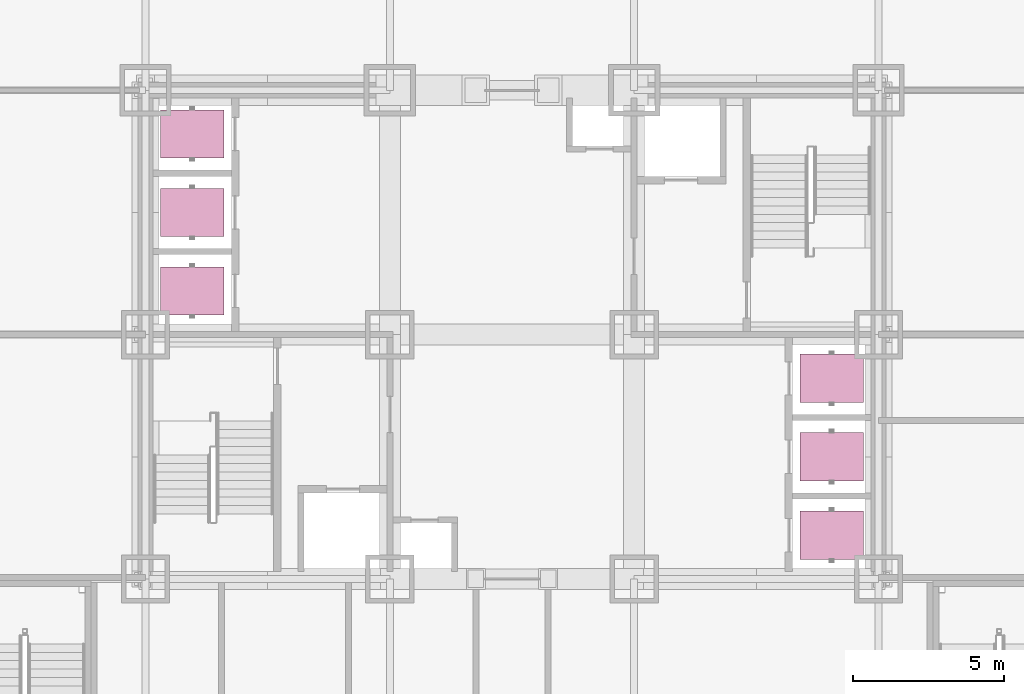
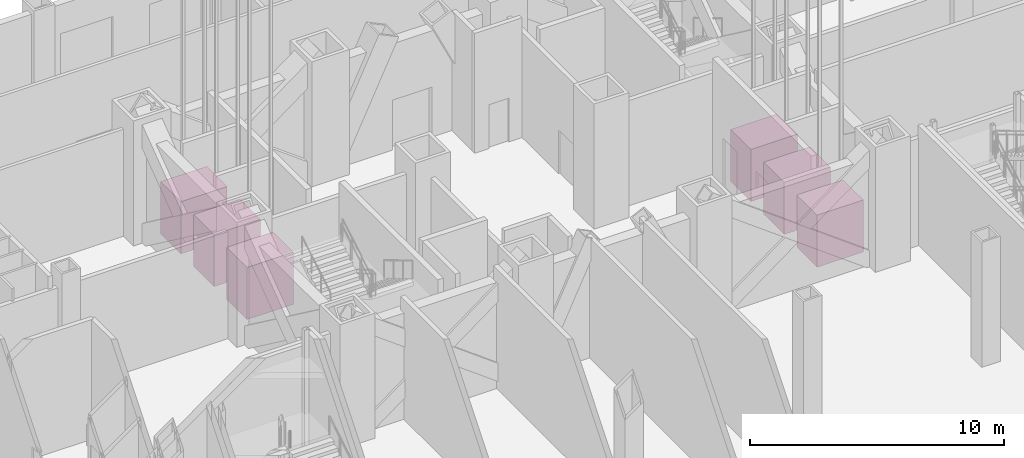
# One storey, part 31 of 35: 6 transport elements.
"""IFC4 building model written with IfcOpenShell, lengths in metres."""

import ifcopenshell
import ifcopenshell.guid

model = None  # the IFC model being written
_history = None  # IfcOwnerHistory: only IFC2X3 demands one
_inside = {}  # id of a spatial element -> (the spatial element, [elements in it])
_under = {}  # id of a project, library or spatial element -> (it, [spatial elements below it])
_declared = {}  # id of a project -> (the project, [libraries it declares])
_typed = {}  # id of a type object -> (the type object, [elements of that type])
_made_of = {}  # id of a material, layer set ... -> (it, [elements and type objects made of it])


def new_model(schema):
    """Start an empty IFC model of exactly this schema.

    Asked for "IFC4X3", IfcOpenShell would pick the latest addendum, in which some entities
    have other attributes; the version numbers below select the first issue.
    IFC2X3 requires an IfcOwnerHistory on every rooted entity: one is made here for all.
    """
    global model, _history
    if schema == "IFC4X3":
        model = ifcopenshell.file(schema_version=(4, 3, 0, 0))
    else:
        model = ifcopenshell.file(schema=schema)
    _inside.clear()
    _under.clear()
    _declared.clear()
    _typed.clear()
    _made_of.clear()
    _history = None
    if model.schema == "IFC2X3":
        org = make("IfcOrganization", Name="unknown")
        user = make(
            "IfcPersonAndOrganization",
            ThePerson=make("IfcPerson", FamilyName="unknown"),
            TheOrganization=org,
        )
        app = make(
            "IfcApplication",
            ApplicationDeveloper=org,
            Version="unknown",
            ApplicationFullName="unknown",
            ApplicationIdentifier="unknown",
        )
        _history = make(
            "IfcOwnerHistory",
            OwningUser=user,
            OwningApplication=app,
            ChangeAction="ADDED",
            CreationDate=0,
        )
    return model


def make(cls, **values):
    """One entity of the class cls with the attributes given. An attribute that is None is left unset."""
    return model.create_entity(
        cls, **{name: value for name, value in values.items() if value is not None}
    )


def rooted(cls, **values):
    """An entity with a GlobalId (a new one), such as an element, a storey or a relation."""
    return make(cls, GlobalId=ifcopenshell.guid.new(), OwnerHistory=_history, **values)


def si_unit(unit_type, name, prefix=None):
    """IfcSIUnit, for example si_unit("LENGTHUNIT", "METRE", prefix="MILLI")."""
    return make("IfcSIUnit", UnitType=unit_type, Prefix=prefix, Name=name)


def assignment(units):
    """IfcUnitAssignment: the units of a project."""
    return None if units is None else make("IfcUnitAssignment", Units=units)


def point(xyz):
    """IfcCartesianPoint."""
    return None if xyz is None else make("IfcCartesianPoint", Coordinates=xyz)


def direction(xyz):
    """IfcDirection."""
    return None if xyz is None else make("IfcDirection", DirectionRatios=xyz)


def frame(location, z_axis=None, x_axis=None):
    """IfcAxis2Placement3D, a coordinate frame: its origin and axes. An axis left out is left unset."""
    return make(
        "IfcAxis2Placement3D",
        Location=point(location),
        Axis=direction(z_axis),
        RefDirection=direction(x_axis),
    )


def frame_2d(location, x_axis=None):
    """IfcAxis2Placement2D, a coordinate frame in the plane: its origin and x axis."""
    return make(
        "IfcAxis2Placement2D", Location=point(location), RefDirection=direction(x_axis)
    )


def origin():
    """The frame at (0, 0, 0) with its axes left unset."""
    return frame((0.0, 0.0, 0.0))


def origin_2d():
    """The frame at (0, 0) in the plane with its x axis left unset."""
    return frame_2d((0.0, 0.0))


def place(relative_to, where):
    """IfcLocalPlacement: puts the frame where relative to a parent placement (None: the world)."""
    return make(
        "IfcLocalPlacement", PlacementRelTo=relative_to, RelativePlacement=where
    )


def context(
    kind, dimensions, precision=None, world=None, true_north=None, identifier=None
):
    """IfcGeometricRepresentationContext, for example the 3D "Model" context."""
    return make(
        "IfcGeometricRepresentationContext",
        ContextIdentifier=identifier,
        ContextType=kind,
        CoordinateSpaceDimension=dimensions,
        Precision=precision,
        WorldCoordinateSystem=world,
        TrueNorth=true_north,
    )


def subcontext(parent, identifier, kind, view, scale=None):
    """IfcGeometricRepresentationSubContext, for example "Body" below "Model"."""
    return make(
        "IfcGeometricRepresentationSubContext",
        ContextIdentifier=identifier,
        ContextType=kind,
        ParentContext=parent,
        TargetScale=scale,
        TargetView=view,
    )


def project(units=None, contexts=None):
    """IfcProject with its units and contexts."""
    return rooted(
        "IfcProject",
        Name="project",
        RepresentationContexts=contexts,
        UnitsInContext=assignment(units),
    )


def spatial(cls, under=None, at=None, **own):
    """A site, building, storey or space (cls), placed at a placement, below another one or the project."""
    s = rooted(cls, ObjectPlacement=at, **own)
    if under is not None:
        _under.setdefault(under.id(), (under, []))[1].append(s)
    return s


def profile(cls, at=None, kind="AREA", **sizes):
    """A parametric profile (cls). Its sizes go by their IFC names, for example OverallWidth=200.0."""
    return make(cls, ProfileType=kind, Position=at, **sizes)


def rectangle(**sizes):
    """IfcRectangleProfileDef."""
    return profile("IfcRectangleProfileDef", **sizes)


def extrude(swept, where, along, depth):
    """IfcExtrudedAreaSolid: the profile swept, set in the frame where, extruded along a direction by depth."""
    return make(
        "IfcExtrudedAreaSolid",
        SweptArea=swept,
        Position=where,
        ExtrudedDirection=direction(along),
        Depth=depth,
    )


def shape(context_of_items, identifier, shape_type, items):
    """IfcShapeRepresentation: the items that make up one representation, for example the "Body"."""
    return make(
        "IfcShapeRepresentation",
        ContextOfItems=context_of_items,
        RepresentationIdentifier=identifier,
        RepresentationType=shape_type,
        Items=items,
    )


def material(Name=None, Category=None):
    """IfcMaterial."""
    return make("IfcMaterial", Name=Name, Category=Category)


def made_of(thing, what):
    """Note that an element or type object is made of a material, layer set ...; save() writes the relation."""
    if what is not None:
        _made_of.setdefault(what.id(), (what, []))[1].append(thing)
    return thing


def type_object(cls, material=None, **own):
    """A type object (cls), such as IfcWallType, which elements share."""
    return made_of(rooted(cls, **own), material)


def element(
    cls,
    number,
    at=None,
    inside=None,
    cuts=None,
    type_object=None,
    material=None,
    context=None,
    identifier="Body",
    shape_type=None,
    held_by="IfcProductDefinitionShape",
    body=None,
    shapes=None,
    **own,
):
    """One element of the class cls, such as IfcWall. Its Tag is "e" and its number.

    at: its placement. inside: the storey or other place that contains it. cuts: it is an
    opening in that element (IfcRelVoidsElement). A single representation is given by context,
    identifier, shape_type and body (its items); several are given by shapes. held_by: the class
    of the entity that holds the representations. save() writes the other relations.
    """
    e = rooted(cls, Tag="e%d" % number, ObjectPlacement=at, **own)
    if body is not None:
        shapes = [shape(context, identifier, shape_type, body)]
    if shapes is not None:
        e.Representation = make(held_by, Representations=shapes)
    if inside is not None:
        _inside.setdefault(inside.id(), (inside, []))[1].append(e)
    if cuts is not None:
        rooted(
            "IfcRelVoidsElement", RelatingBuildingElement=cuts, RelatedOpeningElement=e
        )
    if type_object is not None:
        _typed.setdefault(type_object.id(), (type_object, []))[1].append(e)
    return made_of(e, material)


def aggregate(whole, parts):
    """IfcRelAggregates: a whole, such as a stair, and the parts it consists of."""
    return rooted("IfcRelAggregates", RelatingObject=whole, RelatedObjects=parts)


def save(model, path):
    """Write the relations noted so far, then the file.

    IfcRelAggregates (storeys below a building ...), IfcRelContainedInSpatialStructure (elements
    in a storey), IfcRelDefinesByType, IfcRelAssociatesMaterial and IfcRelDeclares: one each for
    every whole, place, type object, material and project.
    """
    for whole, parts in _under.values():
        aggregate(whole, parts)
    for where, things in _inside.values():
        rooted(
            "IfcRelContainedInSpatialStructure",
            RelatedElements=things,
            RelatingStructure=where,
        )
    for kind, things in _typed.values():
        rooted("IfcRelDefinesByType", RelatedObjects=things, RelatingType=kind)
    for what, things in _made_of.values():
        rooted("IfcRelAssociatesMaterial", RelatedObjects=things, RelatingMaterial=what)
    for by, libraries in _declared.values():
        rooted("IfcRelDeclares", RelatingContext=by, RelatedDefinitions=libraries)
    model.write(path)


model = new_model("IFC4")

# Units and contexts
model_context = context("Model", 3, precision=1e-05, world=origin(), true_north=direction((0.0, 1.0)))
body_context = subcontext(model_context, "Body", "Model", "MODEL_VIEW")
ifc_project = project(units=[si_unit("LENGTHUNIT", "METRE"), si_unit("AREAUNIT", "SQUARE_METRE"), si_unit("VOLUMEUNIT", "CUBIC_METRE"), si_unit("PLANEANGLEUNIT", "RADIAN"), si_unit("MASSUNIT", "GRAM", prefix="KILO")], contexts=[model_context])

# Site, building, storey
site_placement = place(None, origin())
site = spatial("IfcSite", under=ifc_project, at=site_placement, CompositionType="ELEMENT")
building_placement = place(site_placement, origin())
building = spatial("IfcBuilding", under=site, at=building_placement, Name="Kopane Lantern Tower", CompositionType="ELEMENT")
storey_placement = place(building_placement, origin())
storey = spatial("IfcBuildingStorey", under=building, at=storey_placement, Name="L00", CompositionType="ELEMENT", Elevation=0.0)

# Transport elements
ifc_material = material(Name="Aluminium and glass", Category="aluminium")
transport_element_type = type_object("IfcTransportElementType", Name="PASSENGER LIFT 1600 KG", PredefinedType="ELEVATOR", material=ifc_material)
for number, where, z_axis, x_axis, name in (
    (1, (17.75, 33.85009765625, 0.0), (0.0, 0.0, 1.0), (1.0, 0.0, 0.0), "Lift LH1"),
    (2, (17.75, 36.449951171875, 0.0), (0.0, 0.0, 1.0), (1.0, 0.0, 0.0), "Lift LH2"),
    (3, (17.75, 39.050048828125, 0.0), (0.0, 0.0, 1.0), (1.0, 0.0, 0.0), "Lift LH3"),
    (4, (38.949951171875, 25.75, 0.0), (0.0, 0.0, 1.0), (1.0, 0.0, 0.0), "Lift LR1"),
    (5, (38.949951171875, 28.35009765625, 0.0), (0.0, 0.0, 1.0), (1.0, 0.0, 0.0), "Lift LR2"),
    (6, (38.949951171875, 30.949951171875, 0.0), (0.0, 0.0, 1.0), (1.0, 0.0, 0.0), "Lift LR3"),
):
    element("IfcTransportElement", number, at=place(storey_placement, frame(where, z_axis=z_axis, x_axis=x_axis)), inside=storey, type_object=transport_element_type, Name=name, PredefinedType="ELEVATOR", context=body_context, shape_type="SweptSolid", body=[
        extrude(rectangle(XDim=2.10009765625, YDim=1.60009765625, at=origin_2d()), origin(), (0.0, 0.0, 1.0), 2.5),
    ])

save(model, "model.ifc")
